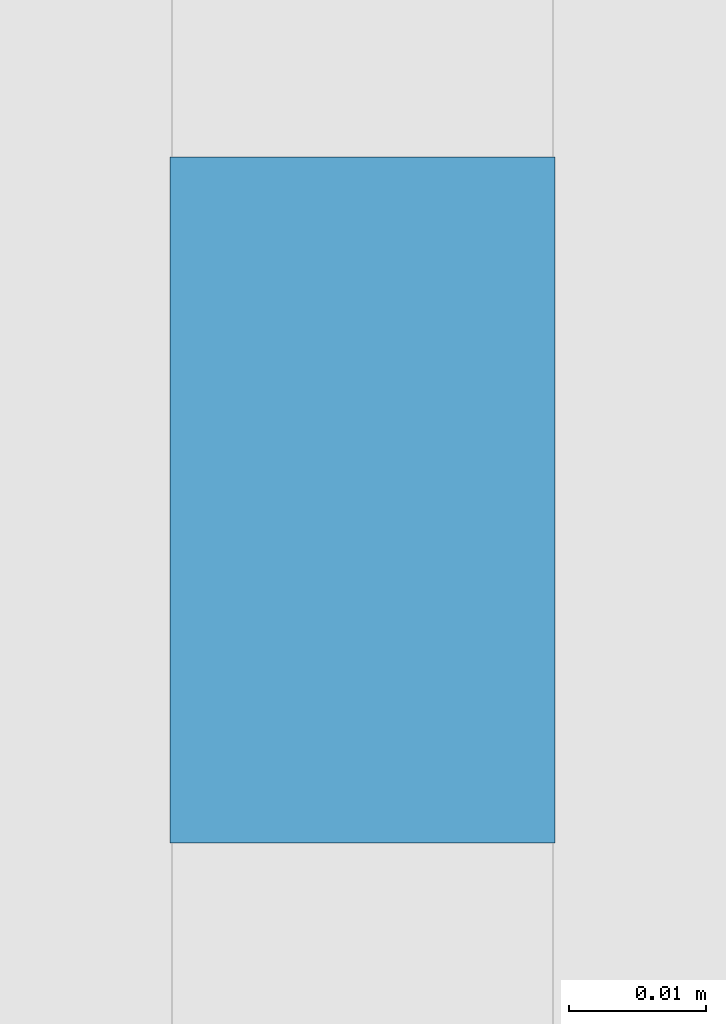
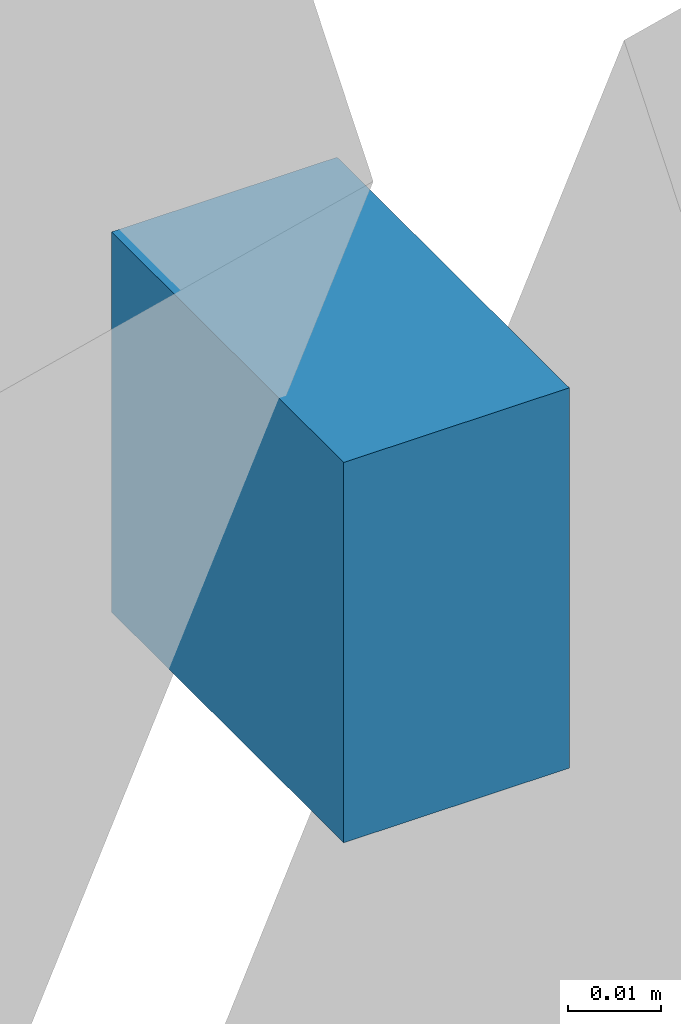
# One storey, part 21 of 24: 1 discrete accessory, 1 element without a shape of its own.
"""IFC4 building model written with IfcOpenShell, lengths in metres."""

import ifcopenshell
import ifcopenshell.guid

model = None  # the IFC model being written
_history = None  # IfcOwnerHistory: only IFC2X3 demands one
_inside = {}  # id of a spatial element -> (the spatial element, [elements in it])
_under = {}  # id of a project, library or spatial element -> (it, [spatial elements below it])
_declared = {}  # id of a project -> (the project, [libraries it declares])
_typed = {}  # id of a type object -> (the type object, [elements of that type])
_made_of = {}  # id of a material, layer set ... -> (it, [elements and type objects made of it])


def new_model(schema):
    """Start an empty IFC model of exactly this schema.

    Asked for "IFC4X3", IfcOpenShell would pick the latest addendum, in which some entities
    have other attributes; the version numbers below select the first issue.
    IFC2X3 requires an IfcOwnerHistory on every rooted entity: one is made here for all.
    """
    global model, _history
    if schema == "IFC4X3":
        model = ifcopenshell.file(schema_version=(4, 3, 0, 0))
    else:
        model = ifcopenshell.file(schema=schema)
    _inside.clear()
    _under.clear()
    _declared.clear()
    _typed.clear()
    _made_of.clear()
    _history = None
    if model.schema == "IFC2X3":
        org = make("IfcOrganization", Name="unknown")
        user = make(
            "IfcPersonAndOrganization",
            ThePerson=make("IfcPerson", FamilyName="unknown"),
            TheOrganization=org,
        )
        app = make(
            "IfcApplication",
            ApplicationDeveloper=org,
            Version="unknown",
            ApplicationFullName="unknown",
            ApplicationIdentifier="unknown",
        )
        _history = make(
            "IfcOwnerHistory",
            OwningUser=user,
            OwningApplication=app,
            ChangeAction="ADDED",
            CreationDate=0,
        )
    return model


def make(cls, **values):
    """One entity of the class cls with the attributes given. An attribute that is None is left unset."""
    return model.create_entity(
        cls, **{name: value for name, value in values.items() if value is not None}
    )


def rooted(cls, **values):
    """An entity with a GlobalId (a new one), such as an element, a storey or a relation."""
    return make(cls, GlobalId=ifcopenshell.guid.new(), OwnerHistory=_history, **values)


def si_unit(unit_type, name, prefix=None):
    """IfcSIUnit, for example si_unit("LENGTHUNIT", "METRE", prefix="MILLI")."""
    return make("IfcSIUnit", UnitType=unit_type, Prefix=prefix, Name=name)


def assignment(units):
    """IfcUnitAssignment: the units of a project."""
    return None if units is None else make("IfcUnitAssignment", Units=units)


def point(xyz):
    """IfcCartesianPoint."""
    return None if xyz is None else make("IfcCartesianPoint", Coordinates=xyz)


def direction(xyz):
    """IfcDirection."""
    return None if xyz is None else make("IfcDirection", DirectionRatios=xyz)


def frame(location, z_axis=None, x_axis=None):
    """IfcAxis2Placement3D, a coordinate frame: its origin and axes. An axis left out is left unset."""
    return make(
        "IfcAxis2Placement3D",
        Location=point(location),
        Axis=direction(z_axis),
        RefDirection=direction(x_axis),
    )


def frame_2d(location, x_axis=None):
    """IfcAxis2Placement2D, a coordinate frame in the plane: its origin and x axis."""
    return make(
        "IfcAxis2Placement2D", Location=point(location), RefDirection=direction(x_axis)
    )


def origin():
    """The frame at (0, 0, 0) with its axes left unset."""
    return frame((0.0, 0.0, 0.0))


def origin_2d():
    """The frame at (0, 0) in the plane with its x axis left unset."""
    return frame_2d((0.0, 0.0))


def place(relative_to, where):
    """IfcLocalPlacement: puts the frame where relative to a parent placement (None: the world)."""
    return make(
        "IfcLocalPlacement", PlacementRelTo=relative_to, RelativePlacement=where
    )


def context(
    kind, dimensions, precision=None, world=None, true_north=None, identifier=None
):
    """IfcGeometricRepresentationContext, for example the 3D "Model" context."""
    return make(
        "IfcGeometricRepresentationContext",
        ContextIdentifier=identifier,
        ContextType=kind,
        CoordinateSpaceDimension=dimensions,
        Precision=precision,
        WorldCoordinateSystem=world,
        TrueNorth=true_north,
    )


def subcontext(parent, identifier, kind, view, scale=None):
    """IfcGeometricRepresentationSubContext, for example "Body" below "Model"."""
    return make(
        "IfcGeometricRepresentationSubContext",
        ContextIdentifier=identifier,
        ContextType=kind,
        ParentContext=parent,
        TargetScale=scale,
        TargetView=view,
    )


def project(units=None, contexts=None):
    """IfcProject with its units and contexts."""
    return rooted(
        "IfcProject",
        Name="project",
        RepresentationContexts=contexts,
        UnitsInContext=assignment(units),
    )


def spatial(cls, under=None, at=None, **own):
    """A site, building, storey or space (cls), placed at a placement, below another one or the project."""
    s = rooted(cls, ObjectPlacement=at, **own)
    if under is not None:
        _under.setdefault(under.id(), (under, []))[1].append(s)
    return s


def profile(cls, at=None, kind="AREA", **sizes):
    """A parametric profile (cls). Its sizes go by their IFC names, for example OverallWidth=200.0."""
    return make(cls, ProfileType=kind, Position=at, **sizes)


def rectangle(**sizes):
    """IfcRectangleProfileDef."""
    return profile("IfcRectangleProfileDef", **sizes)


def extrude(swept, where, along, depth):
    """IfcExtrudedAreaSolid: the profile swept, set in the frame where, extruded along a direction by depth."""
    return make(
        "IfcExtrudedAreaSolid",
        SweptArea=swept,
        Position=where,
        ExtrudedDirection=direction(along),
        Depth=depth,
    )


def shape(context_of_items, identifier, shape_type, items):
    """IfcShapeRepresentation: the items that make up one representation, for example the "Body"."""
    return make(
        "IfcShapeRepresentation",
        ContextOfItems=context_of_items,
        RepresentationIdentifier=identifier,
        RepresentationType=shape_type,
        Items=items,
    )


def material(Name=None, Category=None):
    """IfcMaterial."""
    return make("IfcMaterial", Name=Name, Category=Category)


def made_of(thing, what):
    """Note that an element or type object is made of a material, layer set ...; save() writes the relation."""
    if what is not None:
        _made_of.setdefault(what.id(), (what, []))[1].append(thing)
    return thing


def type_object(cls, material=None, **own):
    """A type object (cls), such as IfcWallType, which elements share."""
    return made_of(rooted(cls, **own), material)


def element(
    cls,
    number,
    at=None,
    inside=None,
    cuts=None,
    type_object=None,
    material=None,
    context=None,
    identifier="Body",
    shape_type=None,
    held_by="IfcProductDefinitionShape",
    body=None,
    shapes=None,
    **own,
):
    """One element of the class cls, such as IfcWall. Its Tag is "e" and its number.

    at: its placement. inside: the storey or other place that contains it. cuts: it is an
    opening in that element (IfcRelVoidsElement). A single representation is given by context,
    identifier, shape_type and body (its items); several are given by shapes. held_by: the class
    of the entity that holds the representations. save() writes the other relations.
    """
    e = rooted(cls, Tag="e%d" % number, ObjectPlacement=at, **own)
    if body is not None:
        shapes = [shape(context, identifier, shape_type, body)]
    if shapes is not None:
        e.Representation = make(held_by, Representations=shapes)
    if inside is not None:
        _inside.setdefault(inside.id(), (inside, []))[1].append(e)
    if cuts is not None:
        rooted(
            "IfcRelVoidsElement", RelatingBuildingElement=cuts, RelatedOpeningElement=e
        )
    if type_object is not None:
        _typed.setdefault(type_object.id(), (type_object, []))[1].append(e)
    return made_of(e, material)


def aggregate(whole, parts):
    """IfcRelAggregates: a whole, such as a stair, and the parts it consists of."""
    return rooted("IfcRelAggregates", RelatingObject=whole, RelatedObjects=parts)


def save(model, path):
    """Write the relations noted so far, then the file.

    IfcRelAggregates (storeys below a building ...), IfcRelContainedInSpatialStructure (elements
    in a storey), IfcRelDefinesByType, IfcRelAssociatesMaterial and IfcRelDeclares: one each for
    every whole, place, type object, material and project.
    """
    for whole, parts in _under.values():
        aggregate(whole, parts)
    for where, things in _inside.values():
        rooted(
            "IfcRelContainedInSpatialStructure",
            RelatedElements=things,
            RelatingStructure=where,
        )
    for kind, things in _typed.values():
        rooted("IfcRelDefinesByType", RelatedObjects=things, RelatingType=kind)
    for what, things in _made_of.values():
        rooted("IfcRelAssociatesMaterial", RelatedObjects=things, RelatingMaterial=what)
    for by, libraries in _declared.values():
        rooted("IfcRelDeclares", RelatingContext=by, RelatedDefinitions=libraries)
    model.write(path)


model = new_model("IFC4")

# Units and contexts
model_context = context("Model", 3, precision=1e-05, world=origin(), true_north=direction((0.0, 1.0)))
body_context = subcontext(model_context, "Body", "Model", "MODEL_VIEW")
ifc_project = project(units=[si_unit("LENGTHUNIT", "METRE"), si_unit("AREAUNIT", "SQUARE_METRE"), si_unit("VOLUMEUNIT", "CUBIC_METRE"), si_unit("PLANEANGLEUNIT", "RADIAN"), si_unit("MASSUNIT", "GRAM", prefix="KILO")], contexts=[model_context])

# Site, building, storey
site_placement = place(None, origin())
site = spatial("IfcSite", under=ifc_project, at=site_placement, CompositionType="ELEMENT")
building_placement = place(site_placement, origin())
building = spatial("IfcBuilding", under=site, at=building_placement, Name="Tessera Arch", CompositionType="ELEMENT")
storey_placement = place(building_placement, frame((0.0, 0.0, 81.60009765625)))
storey = spatial("IfcBuildingStorey", under=building, at=storey_placement, Name="L18", CompositionType="ELEMENT", Elevation=81.60009765625)

# Curtain wall, discrete accessory
ifc_material = material(Name="CW3 curtain wall")
curtain_wall_type = type_object("IfcCurtainWallType", Name="CW3 curtain wall", PredefinedType="NOTDEFINED", material=ifc_material)
curtain_wall_placement = place(storey_placement, origin())
curtain_wall = element("IfcCurtainWall", 1, at=curtain_wall_placement, inside=storey, type_object=curtain_wall_type, Name="CW3 curtain wall E54.0/4 L18", PredefinedType="NOTDEFINED")
discrete_accessory_placement = place(storey_placement, frame((54.0439453125, 40.935546875, 0.89453125), z_axis=(0.0, 0.0, 1.0), x_axis=(0.0, 1.0, 0.0)))
discrete_accessory = element("IfcDiscreteAccessory", 2, at=discrete_accessory_placement, Name="Glazing bracket", PredefinedType="BRACKET", context=body_context, shape_type="SweptSolid", body=[
    extrude(rectangle(XDim=0.050048828125, YDim=0.028076171875, at=origin_2d()), origin(), (0.0, 0.0, 1.0), 0.050048828125),
])
aggregate(curtain_wall, [discrete_accessory])

save(model, "model.ifc")
